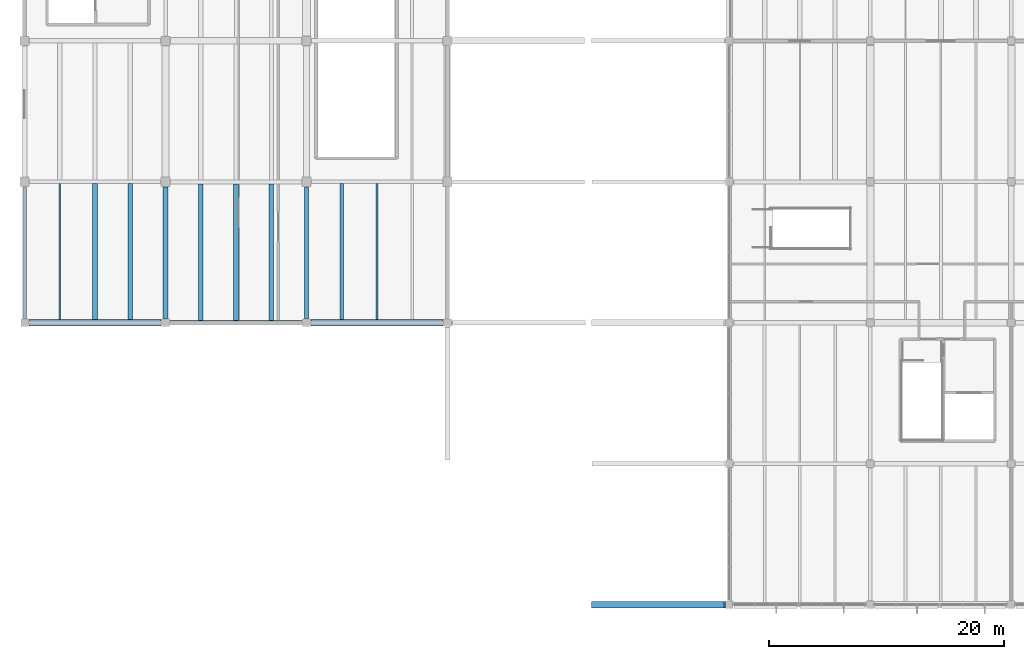
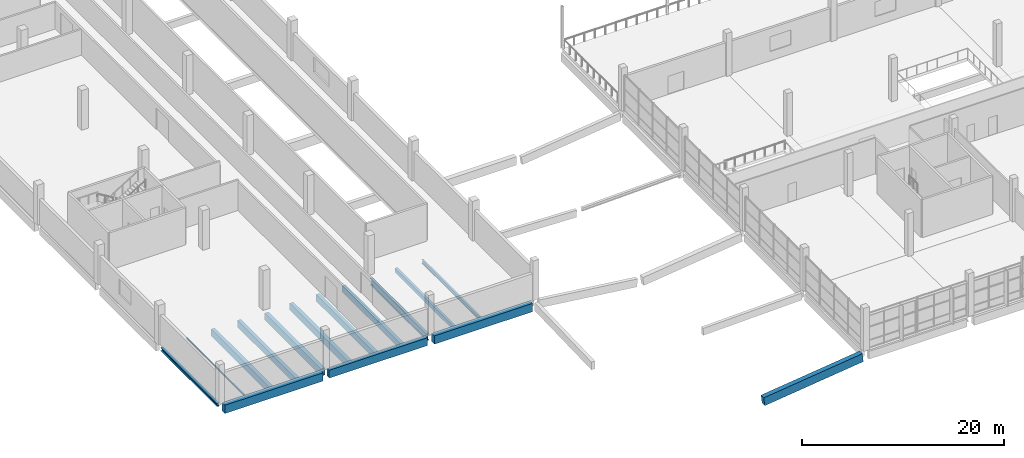
# One storey, part 16 of 112: 15 beams.
"""IFC4 building model written with IfcOpenShell, lengths in metres."""

from ifc_helpers import new_model, si_unit, direction, frame, origin, origin_2d, place, context, subcontext, project, spatial, rectangle, i_section, extrude, material, material_profile, profile_set, type_object, element, save


model = new_model("IFC4")

# Units and contexts
model_context = context("Model", 3, precision=1e-05, world=origin(), true_north=direction((0.0, 1.0)))
body_context = subcontext(model_context, "Body", "Model", "MODEL_VIEW")
ifc_project = project(units=[si_unit("LENGTHUNIT", "METRE"), si_unit("AREAUNIT", "SQUARE_METRE"), si_unit("VOLUMEUNIT", "CUBIC_METRE"), si_unit("PLANEANGLEUNIT", "RADIAN"), si_unit("MASSUNIT", "GRAM", prefix="KILO")], contexts=[model_context])

# Site, building, storey
site_placement = place(None, origin())
site = spatial("IfcSite", under=ifc_project, at=site_placement, CompositionType="ELEMENT")
building_placement = place(site_placement, origin())
building = spatial("IfcBuilding", under=site, at=building_placement, Name="Kamomehara Wholesale Market", CompositionType="ELEMENT")
storey_placement = place(building_placement, frame((0.0, 0.0, 6.60009765625)))
storey = spatial("IfcBuildingStorey", under=building, at=storey_placement, Name="L01", CompositionType="ELEMENT", Elevation=6.60009765625)

# Beams
ifc_material_1 = material(Name="Precast concrete Fc45 (C40/50)", Category="concrete")
ifc_material_profile_1 = material_profile(ifc_material_1, rectangle(XDim=0.449951171875, YDim=0.85009765625, at=origin_2d()), Name="PC-GRD-450x850")
ifc_profile_set_1 = profile_set([ifc_material_profile_1], Name="Precast concrete Fc45 (C40/50)")
beam_type_1 = type_object("IfcBeamType", Name="BM-PG850", PredefinedType="T_BEAM", material=ifc_profile_set_1)
beam_1_placement = place(storey_placement, frame((12.0, 36.375, -0.76708984375), z_axis=(0.0, 1.0, 0.0), x_axis=(-1.0, 0.0, 0.0)))
element("IfcBeam", 1, at=beam_1_placement, inside=storey, type_object=beam_type_1, Name="Beam PG-11 L01", PredefinedType="T_BEAM", context=body_context, shape_type="SweptSolid", body=[
    extrude(rectangle(XDim=0.449951171875, YDim=0.85009765625, at=origin_2d()), origin(), (0.0, 0.0, 1.0), 11.199951171875),
])
ifc_material_2 = material(Name="Precast concrete Fc45 (C40/50)", Category="concrete")
ifc_material_profile_2 = material_profile(ifc_material_2, rectangle(XDim=0.280029296875, YDim=0.5, at=origin_2d()), Name="PC-JST-280x500")
ifc_profile_set_2 = profile_set([ifc_material_profile_2], Name="Precast concrete Fc45 (C40/50)")
beam_type_2 = type_object("IfcBeamType", Name="BM-PJ500", PredefinedType="JOIST", material=ifc_profile_set_2)
beam_2_placement = place(storey_placement, frame((27.0, 36.27490234375, -0.592041015625), z_axis=(0.0, 1.0, 0.0), x_axis=(-1.0, 0.0, 0.0)))
element("IfcBeam", 2, at=beam_2_placement, inside=storey, type_object=beam_type_2, Name="Beam PJ-11 L01", PredefinedType="JOIST", context=body_context, shape_type="SweptSolid", body=[
    extrude(rectangle(XDim=0.280029296875, YDim=0.5, at=origin_2d()), origin(), (0.0, 0.0, 1.0), 11.5751953125),
])
ifc_material_3 = material(Name="Precast concrete Fc45 (C40/50)", Category="concrete")
ifc_material_profile_3 = material_profile(ifc_material_3, rectangle(XDim=0.3798828125, YDim=0.75, at=origin_2d()), Name="PC-JST-380x750")
ifc_profile_set_3 = profile_set([ifc_material_profile_3], Name="Precast concrete Fc45 (C40/50)")
beam_type_3 = type_object("IfcBeamType", Name="BM-PJ750", PredefinedType="JOIST", material=ifc_profile_set_3)
beam_3_placement = place(storey_placement, frame((21.0, 36.199951171875, -0.717041015625), z_axis=(0.0, 1.0, 0.0), x_axis=(-1.0, 0.0, 0.0)))
element("IfcBeam", 3, at=beam_3_placement, inside=storey, type_object=beam_type_3, Name="Beam PJ-02 L01", PredefinedType="JOIST", context=body_context, shape_type="SweptSolid", body=[
    extrude(rectangle(XDim=0.3798828125, YDim=0.75, at=origin_2d()), origin(), (0.0, 0.0, 1.0), 11.625),
])
ifc_material_4 = material(Name="Precast concrete Fc45 (C40/50)", Category="concrete")
ifc_material_profile_4 = material_profile(ifc_material_4, rectangle(XDim=0.39990234375, YDim=0.800048828125, at=origin_2d()), Name="PC-JST-400x800")
ifc_profile_set_4 = profile_set([ifc_material_profile_4], Name="Precast concrete Fc45 (C40/50)")
beam_type_4 = type_object("IfcBeamType", Name="BM-PJ800", PredefinedType="JOIST", material=ifc_profile_set_4)
beam_4_placement = place(storey_placement, frame((9.0, 36.27490234375, -0.7421875), z_axis=(0.0, 1.0, 0.0), x_axis=(-1.0, 0.0, 0.0)))
element("IfcBeam", 4, at=beam_4_placement, inside=storey, type_object=beam_type_4, Name="Beam PJ-01 L01", PredefinedType="JOIST", context=body_context, shape_type="SweptSolid", body=[
    extrude(rectangle(XDim=0.39990234375, YDim=0.800048828125, at=origin_2d()), origin(), (0.0, 0.0, 1.0), 11.5751953125),
])
beam_5_placement = place(storey_placement, frame((18.0, 36.199951171875, -0.7421875), z_axis=(0.0, 1.0, 0.0), x_axis=(-1.0, 0.0, 0.0)))
element("IfcBeam", 5, at=beam_5_placement, inside=storey, type_object=beam_type_4, Name="Beam PJ-01 L01", PredefinedType="JOIST", context=body_context, shape_type="SweptSolid", body=[
    extrude(rectangle(XDim=0.39990234375, YDim=0.800048828125, at=origin_2d()), origin(), (0.0, 0.0, 1.0), 11.625),
])
ifc_material_5 = material(Name="Precast concrete Fc45 (C40/50)", Category="concrete")
ifc_material_profile_5 = material_profile(ifc_material_5, rectangle(XDim=0.419921875, YDim=0.840087890625, at=origin_2d()), Name="PC-JST-420x840")
ifc_profile_set_5 = profile_set([ifc_material_profile_5], Name="Precast concrete Fc45 (C40/50)")
beam_type_5 = type_object("IfcBeamType", Name="BM-PJ840", PredefinedType="JOIST", material=ifc_profile_set_5)
beam_6_placement = place(storey_placement, frame((6.0, 36.27490234375, -0.76220703125), z_axis=(0.0, 1.0, 0.0), x_axis=(-1.0, 0.0, 0.0)))
element("IfcBeam", 6, at=beam_6_placement, inside=storey, type_object=beam_type_5, Name="Beam PJ-07 L01", PredefinedType="JOIST", context=body_context, shape_type="SweptSolid", body=[
    extrude(rectangle(XDim=0.419921875, YDim=0.840087890625, at=origin_2d()), origin(), (0.0, 0.0, 1.0), 11.5751953125),
])
beam_7_placement = place(storey_placement, frame((15.0, 36.199951171875, -0.76220703125), z_axis=(0.0, 1.0, 0.0), x_axis=(-1.0, 0.0, 0.0)))
element("IfcBeam", 7, at=beam_7_placement, inside=storey, type_object=beam_type_5, Name="Beam PJ-07 L01", PredefinedType="JOIST", context=body_context, shape_type="SweptSolid", body=[
    extrude(rectangle(XDim=0.419921875, YDim=0.840087890625, at=origin_2d()), origin(), (0.0, 0.0, 1.0), 11.625),
])
ifc_material_6 = material(Name="Concrete Fc36 (C35/45)", Category="concrete")
ifc_material_profile_6 = material_profile(ifc_material_6, rectangle(XDim=0.550048828125, YDim=1.0, at=origin_2d()), Name="RC-SEB-550x1000")
ifc_profile_set_6 = profile_set([ifc_material_profile_6], Name="Concrete Fc36 (C35/45)")
beam_type_6 = type_object("IfcBeamType", Name="BM-SEB1000-EXT", PredefinedType="SPANDREL", material=ifc_profile_set_6)
beam_8_placement = place(storey_placement, frame((48.324951171875, 12.0, -2.14599609375), z_axis=(0.992520407394, 0.0, 0.122078830707), x_axis=(0.0, 1.0, 0.0)))
element("IfcBeam", 8, at=beam_8_placement, inside=storey, type_object=beam_type_6, Name="Beam SEB-03E L01", PredefinedType="SPANDREL", context=body_context, shape_type="SweptSolid", body=[
    extrude(rectangle(XDim=0.550048828125, YDim=1.0, at=origin_2d()), origin(), (0.0, 0.0, 1.0), 11.38525390625),
])
for number, where, z_axis, x_axis, name in (
    (9, (0.375, 36.0, -0.842041015625), (1.0, 0.0, 0.0), (0.0, 1.0, 0.0), "Beam SEB-03E L01"),
    (10, (24.375, 36.0, -0.842041015625), (1.0, 0.0, 0.0), (0.0, 1.0, 0.0), "Beam SEB-03E L01"),
):
    element("IfcBeam", number, at=place(storey_placement, frame(where, z_axis=z_axis, x_axis=x_axis)), inside=storey, type_object=beam_type_6, Name=name, PredefinedType="SPANDREL", context=body_context, shape_type="SweptSolid", body=[
        extrude(rectangle(XDim=0.550048828125, YDim=1.0, at=origin_2d()), origin(), (0.0, 0.0, 1.0), 11.25),
    ])
ifc_material_7 = material(Name="Precast concrete Fc45 (C40/50)", Category="concrete")
ifc_material_profile_7 = material_profile(ifc_material_7, rectangle(XDim=0.39990234375, YDim=0.949951171875, at=origin_2d()), Name="PC-SPN-400x950")
ifc_profile_set_7 = profile_set([ifc_material_profile_7], Name="Precast concrete Fc45 (C40/50)")
beam_type_7 = type_object("IfcBeamType", Name="BM-SPN950-EXT", PredefinedType="SPANDREL", material=ifc_profile_set_7)
beam_9_placement = place(storey_placement, frame((12.375, 36.0, -0.817138671875), z_axis=(1.0, 0.0, 0.0), x_axis=(0.0, 1.0, 0.0)))
element("IfcBeam", 11, at=beam_9_placement, inside=storey, type_object=beam_type_7, Name="Beam SPN-01E L01", PredefinedType="SPANDREL", context=body_context, shape_type="SweptSolid", body=[
    extrude(rectangle(XDim=0.39990234375, YDim=0.949951171875, at=origin_2d()), origin(), (0.0, 0.0, 1.0), 11.25),
])
ifc_material_8 = material(Name="Steel SN400B", Category="steel")
ifc_material_profile_8 = material_profile(ifc_material_8, i_section(OverallWidth=0.10009765625, OverallDepth=0.199951171875, WebThickness=0.005615234375, FlangeThickness=0.008056640625, FilletRadius=0.008056640625, at=origin_2d()), Name="H-200x100x5.5x8")
ifc_profile_set_8 = profile_set([ifc_material_profile_8], Name="Steel SN400B")
beam_type_8 = type_object("IfcBeamType", Name="BM-ST-H200", PredefinedType="LINTEL", material=ifc_profile_set_8)
beam_10_placement = place(storey_placement, frame((3.0, 36.27490234375, -0.442138671875), z_axis=(0.0, 1.0, 0.0), x_axis=(-1.0, 0.0, 0.0)))
element("IfcBeam", 12, at=beam_10_placement, inside=storey, type_object=beam_type_8, Name="Beam SJ-07 L01", PredefinedType="LINTEL", context=body_context, shape_type="SweptSolid", body=[
    extrude(i_section(OverallWidth=0.10009765625, OverallDepth=0.199951171875, WebThickness=0.005615234375, FlangeThickness=0.008056640625, FilletRadius=0.008056640625, at=origin_2d()), origin(), (0.0, 0.0, 1.0), 11.5751953125),
])
ifc_material_9 = material(Name="Steel SN490B", Category="steel")
ifc_material_profile_9 = material_profile(ifc_material_9, i_section(OverallWidth=0.300048828125, OverallDepth=0.389892578125, WebThickness=0.010009765625, FlangeThickness=0.01611328125, FilletRadius=0.01806640625, at=origin_2d()), Name="H-390x300x10x16")
ifc_profile_set_9 = profile_set([ifc_material_profile_9], Name="Steel SN490B")
beam_type_9 = type_object("IfcBeamType", Name="BM-ST-H390-EXT", PredefinedType="SPANDREL", material=ifc_profile_set_9)
beam_11_placement = place(storey_placement, frame((0.0, 36.375, -0.537109375), z_axis=(0.0, 1.0, 0.0), x_axis=(-1.0, 0.0, 0.0)))
element("IfcBeam", 13, at=beam_11_placement, inside=storey, type_object=beam_type_9, Name="Beam SJ-03E L01", PredefinedType="SPANDREL", context=body_context, shape_type="SweptSolid", body=[
    extrude(i_section(OverallWidth=0.300048828125, OverallDepth=0.389892578125, WebThickness=0.010009765625, FlangeThickness=0.01611328125, FilletRadius=0.01806640625, at=origin_2d()), origin(), (0.0, 0.0, 1.0), 11.199951171875),
])
ifc_material_10 = material(Name="Steel SN400B", Category="steel")
ifc_material_profile_10 = material_profile(ifc_material_10, i_section(OverallWidth=0.199951171875, OverallDepth=0.449951171875, WebThickness=0.009033203125, FlangeThickness=0.013916015625, FilletRadius=0.012939453125, at=origin_2d()), Name="H-450x200x9x14")
ifc_profile_set_10 = profile_set([ifc_material_profile_10], Name="Steel SN400B")
beam_type_10 = type_object("IfcBeamType", Name="BM-ST-H450", PredefinedType="JOIST", material=ifc_profile_set_10)
beam_12_placement = place(storey_placement, frame((30.0, 36.27490234375, -0.567138671875), z_axis=(0.0, 1.0, 0.0), x_axis=(-1.0, 0.0, 0.0)))
element("IfcBeam", 14, at=beam_12_placement, inside=storey, type_object=beam_type_10, Name="Beam SJ-01 L01", PredefinedType="JOIST", context=body_context, shape_type="SweptSolid", body=[
    extrude(i_section(OverallWidth=0.199951171875, OverallDepth=0.449951171875, WebThickness=0.009033203125, FlangeThickness=0.013916015625, FilletRadius=0.012939453125, at=origin_2d()), origin(), (0.0, 0.0, 1.0), 11.5751953125),
])
ifc_material_11 = material(Name="Steel SN490B", Category="steel")
ifc_material_profile_11 = material_profile(ifc_material_11, i_section(OverallWidth=0.300048828125, OverallDepth=0.800048828125, WebThickness=0.013916015625, FlangeThickness=0.02587890625, FilletRadius=0.02392578125, at=origin_2d()), Name="H-800x300x14x26")
ifc_profile_set_11 = profile_set([ifc_material_profile_11], Name="Steel SN490B")
beam_type_11 = type_object("IfcBeamType", Name="BM-ST-H800", PredefinedType="BEAM", material=ifc_profile_set_11)
beam_13_placement = place(storey_placement, frame((24.0, 36.375, -0.7421875), z_axis=(0.0, 1.0, 0.0), x_axis=(-1.0, 0.0, 0.0)))
element("IfcBeam", 15, at=beam_13_placement, inside=storey, type_object=beam_type_11, Name="Beam SG-02 L01", PredefinedType="BEAM", context=body_context, shape_type="SweptSolid", body=[
    extrude(i_section(OverallWidth=0.300048828125, OverallDepth=0.800048828125, WebThickness=0.013916015625, FlangeThickness=0.02587890625, FilletRadius=0.02392578125, at=origin_2d()), origin(), (0.0, 0.0, 1.0), 11.199951171875),
])

save(model, "model.ifc")
